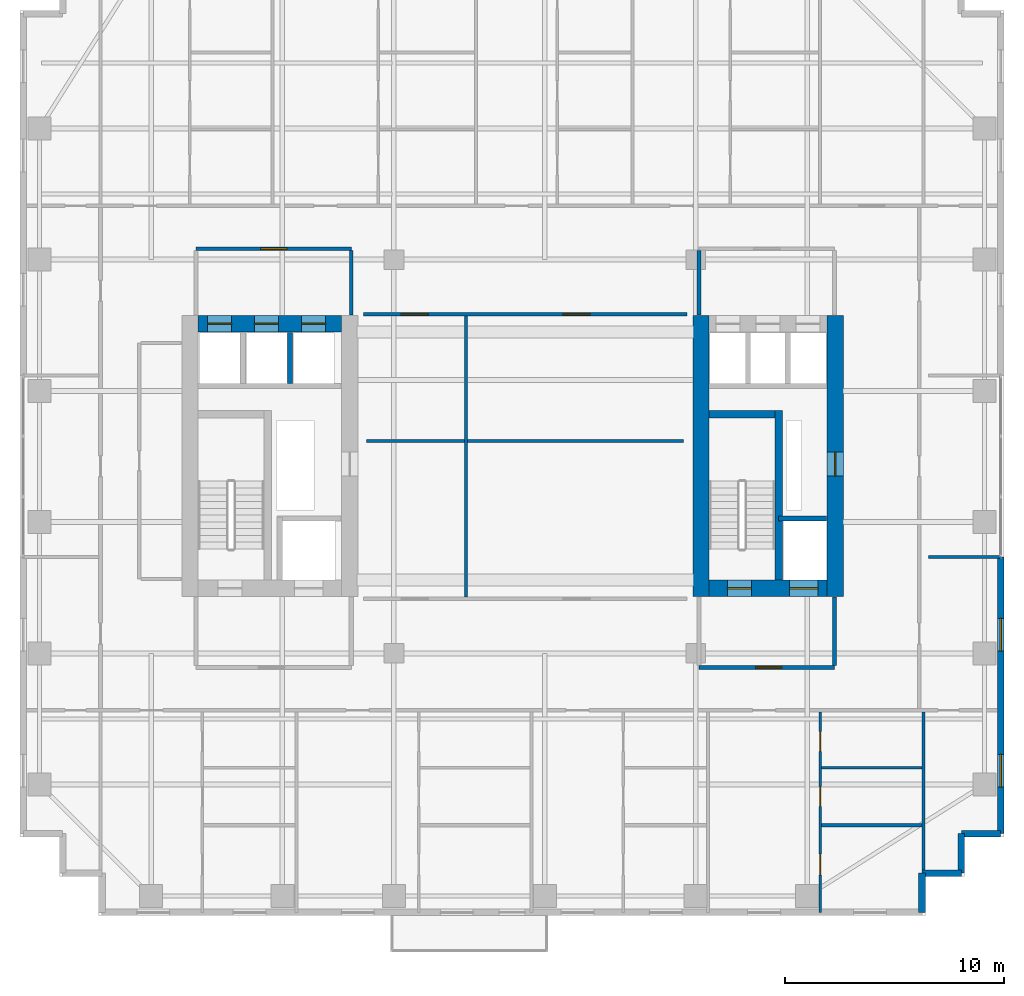
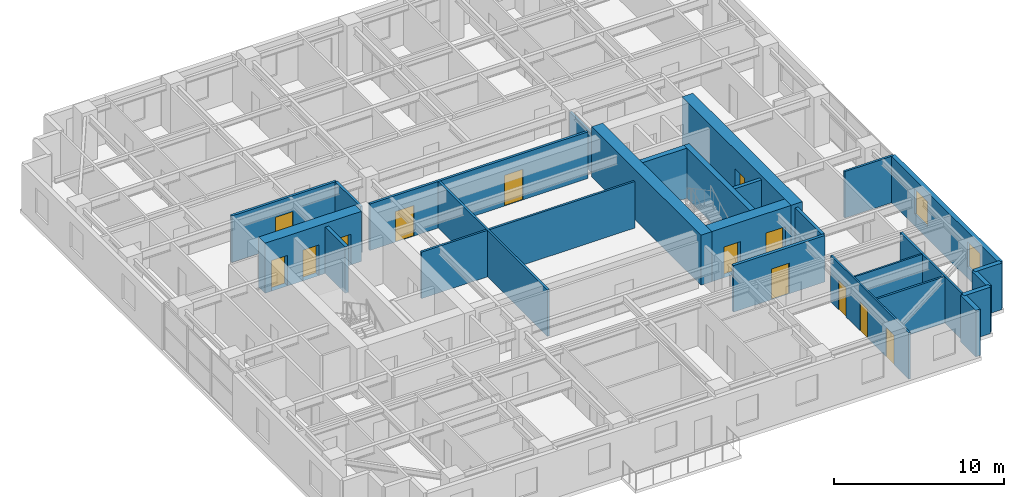
# One storey, part 10 of 15: 26 walls, 13 doors, 2 windows, 15 openings.
"""IFC4 building model written with IfcOpenShell, lengths in metres."""

from ifc_helpers import new_model, si_unit, direction, frame, frame_2d, origin, place, context, subcontext, project, spatial, rectangle, extrude, source, transform, mapped, material, layer, layer_set, type_object, element, fill, save


model = new_model("IFC4")

# Units and contexts
model_context = context("Model", 3, precision=1e-05, world=origin(), true_north=direction((0.0, 1.0)))
body_context = subcontext(model_context, "Body", "Model", "MODEL_VIEW")
ifc_project = project(units=[si_unit("LENGTHUNIT", "METRE"), si_unit("AREAUNIT", "SQUARE_METRE"), si_unit("VOLUMEUNIT", "CUBIC_METRE"), si_unit("PLANEANGLEUNIT", "RADIAN"), si_unit("MASSUNIT", "GRAM", prefix="KILO")], contexts=[model_context])

# Site, building, storey
site_placement = place(None, origin())
site = spatial("IfcSite", under=ifc_project, at=site_placement, CompositionType="ELEMENT")
building_placement = place(site_placement, origin())
building = spatial("IfcBuilding", under=site, at=building_placement, Name="Khoralis Quay Care Tower", CompositionType="ELEMENT")
storey_placement = place(building_placement, frame((0.0, 0.0, 123.300048828125)))
storey = spatial("IfcBuildingStorey", under=building, at=storey_placement, Name="L32", CompositionType="ELEMENT", Elevation=123.300048828125)

# Wall, opening, door
ifc_material_1 = material(Name="Gypsum plasterboard on acoustic metal stud")
ifc_layer_1 = layer(ifc_material_1, 0.199951171875)
ifc_layer_set_1 = layer_set([ifc_layer_1], Name="Gypsum plasterboard on acoustic metal stud")
wall_type_1 = type_object("IfcWallType", Name="WL-COMP-200", PredefinedType="PARTITIONING", material=ifc_layer_set_1)
wall_1_placement = place(storey_placement, frame((31.050048828125, 11.35009765625, 0.0), z_axis=(0.0, 0.0, 1.0), x_axis=(1.0, 0.0, 0.0)))
wall_1 = element("IfcWall", 1, at=wall_1_placement, inside=storey, type_object=wall_type_1, Name="L32 East Firefighting Lobby South Wall", PredefinedType="PARTITIONING", context=body_context, shape_type="SweptSolid", body=[
    extrude(rectangle(XDim=6.199951171875, YDim=0.199951171875, at=frame_2d((3.10009765625, 0.0))), origin(), (0.0, 0.0, 1.0), 3.33984375),
])
opening_1_placement = place(wall_1_placement, frame((2.585693359375, 0.0, 0.0)))
opening_1 = element("IfcOpeningElement", 2, at=opening_1_placement, cuts=wall_1, Name="Opening FD1", PredefinedType="OPENING", context=body_context, shape_type="SweptSolid", body=[
    extrude(rectangle(XDim=1.199951171875, YDim=2.199951171875, at=frame_2d((0.60009765625, 1.10009765625))), frame((0.0, 0.10986328125, 0.0), z_axis=(0.0, -1.0, 0.0), x_axis=(1.0, 0.0, 0.0)), (0.0, 0.0, 1.0), 0.219970703125),
])
ifc_material_2 = material(Name="Fire-rated painted steel", Category="steel")
door_type_1 = type_object("IfcDoorType", Name="DR-FFL-1200X2200", OperationType="NOTDEFINED", PredefinedType="DOOR", material=ifc_material_2)
shared_shape_1 = source(origin(), body_context, "Body", "SweptSolid", [
    extrude(rectangle(XDim=1.199951171875, YDim=2.199951171875, at=frame_2d((0.60009765625, 1.10009765625))), frame((0.0, 0.02490234375, 0.0), z_axis=(0.0, -1.0, 0.0), x_axis=(1.0, 0.0, 0.0)), (0.0, 0.0, 1.0), 0.050048828125),
])
door_1_placement = place(opening_1_placement, origin())
door_1 = element("IfcDoor", 3, at=door_1_placement, inside=storey, type_object=door_type_1, Name="L32 East Firefighting Lobby Fire Door", OperationType="SINGLE_SWING_LEFT", OverallHeight=2.199951171875, OverallWidth=1.199951171875, PredefinedType="DOOR", context=body_context, shape_type="MappedRepresentation", body=[
    mapped(shared_shape_1, transform((0.0, 0.0, 0.0), scale=1.0)),
])
fill(opening_1, door_1)

# Wall
wall_2_placement = place(storey_placement, frame((37.25, 11.445068359375, 0.0), z_axis=(0.0, 0.0, 1.0), x_axis=(0.0, 1.0, 0.0)))
element("IfcWall", 4, at=wall_2_placement, inside=storey, type_object=wall_type_1, Name="L32 East Firefighting Lobby East Wall", PredefinedType="PARTITIONING", context=body_context, shape_type="SweptSolid", body=[
    extrude(rectangle(XDim=3.135009765625, YDim=0.199951171875, at=frame_2d((1.5673828125, 0.0))), origin(), (0.0, 0.0, 1.0), 3.33984375),
])

# Wall, openings, doors
ifc_material_3 = material(Name="Concrete C80/95", Category="concrete")
ifc_layer_2 = layer(ifc_material_3, 0.75)
ifc_layer_set_2 = layer_set([ifc_layer_2], Name="Concrete C80/95")
wall_type_2 = type_object("IfcWallType", Name="WL-CORE-750", PredefinedType="SHEAR", material=ifc_layer_set_2)
wall_3_placement = place(storey_placement, frame((8.14990234375, 27.074951171875, 0.0), z_axis=(0.0, 0.0, 1.0), x_axis=(1.0, 0.0, 0.0)))
wall_3 = element("IfcWall", 5, at=wall_3_placement, inside=storey, type_object=wall_type_2, Name="L32 WCORE North Shear Wall", PredefinedType="SHEAR", context=body_context, shape_type="SweptSolid", body=[
    extrude(rectangle(XDim=6.550048828125, YDim=0.75, at=frame_2d((3.27490234375, 0.0))), origin(), (0.0, 0.0, 1.0), 3.599853515625),
])
opening_2_placement = place(wall_3_placement, frame((0.429931640625, 0.0, 0.0)))
opening_2 = element("IfcOpeningElement", 6, at=opening_2_placement, cuts=wall_3, Name="Opening LD1", PredefinedType="OPENING", context=body_context, shape_type="SweptSolid", body=[
    extrude(rectangle(XDim=1.10009765625, YDim=2.199951171875, at=frame_2d((0.550048828125, 1.10009765625))), frame((0.0, 0.385009765625, 0.0), z_axis=(0.0, -1.0, 0.0), x_axis=(1.0, 0.0, 0.0)), (0.0, 0.0, 1.0), 0.77001953125),
])
opening_3_placement = place(wall_3_placement, frame((2.570068359375, 0.0, 0.0)))
opening_3 = element("IfcOpeningElement", 7, at=opening_3_placement, cuts=wall_3, Name="Opening LD1", PredefinedType="OPENING", context=body_context, shape_type="SweptSolid", body=[
    extrude(rectangle(XDim=1.10009765625, YDim=2.199951171875, at=frame_2d((0.550048828125, 1.10009765625))), frame((0.0, 0.385009765625, 0.0), z_axis=(0.0, -1.0, 0.0), x_axis=(1.0, 0.0, 0.0)), (0.0, 0.0, 1.0), 0.77001953125),
])
opening_4_placement = place(wall_3_placement, frame((4.72998046875, 0.0, 0.0)))
opening_4 = element("IfcOpeningElement", 8, at=opening_4_placement, cuts=wall_3, Name="Opening LD1", PredefinedType="OPENING", context=body_context, shape_type="SweptSolid", body=[
    extrude(rectangle(XDim=1.10009765625, YDim=2.199951171875, at=frame_2d((0.550048828125, 1.10009765625))), frame((0.0, 0.385009765625, 0.0), z_axis=(0.0, -1.0, 0.0), x_axis=(1.0, 0.0, 0.0)), (0.0, 0.0, 1.0), 0.77001953125),
])
ifc_material_4 = material(Name="Brushed stainless steel", Category="steel")
door_type_2 = type_object("IfcDoorType", Name="DR-LIFT-1100X2200", OperationType="SLIDING_TO_LEFT", PredefinedType="DOOR", material=ifc_material_4)
shared_shape_2 = source(origin(), body_context, "Body", "SweptSolid", [
    extrude(rectangle(XDim=1.10009765625, YDim=2.199951171875, at=frame_2d((0.550048828125, 1.10009765625))), frame((0.0, 0.02490234375, 0.0), z_axis=(0.0, -1.0, 0.0), x_axis=(1.0, 0.0, 0.0)), (0.0, 0.0, 1.0), 0.050048828125),
])
door_2_placement = place(opening_2_placement, origin())
door_2 = element("IfcDoor", 9, at=door_2_placement, inside=storey, type_object=door_type_2, Name="L32 Lift PLL1 Landing Door", OperationType="SLIDING_TO_LEFT", OverallHeight=2.199951171875, OverallWidth=1.10009765625, PredefinedType="DOOR", context=body_context, shape_type="MappedRepresentation", body=[
    mapped(shared_shape_2, transform((0.0, 0.0, 0.0), scale=1.0)),
])
fill(opening_2, door_2)
door_3_placement = place(opening_3_placement, origin())
door_3 = element("IfcDoor", 10, at=door_3_placement, inside=storey, type_object=door_type_2, Name="L32 Lift PLM1 Landing Door", OperationType="SLIDING_TO_LEFT", OverallHeight=2.199951171875, OverallWidth=1.10009765625, PredefinedType="DOOR", context=body_context, shape_type="MappedRepresentation", body=[
    mapped(shared_shape_2, transform((0.0, 0.0, 0.0), scale=1.0)),
])
fill(opening_3, door_3)
door_4_placement = place(opening_4_placement, origin())
door_4 = element("IfcDoor", 11, at=door_4_placement, inside=storey, type_object=door_type_2, Name="L32 Lift PLH1 Landing Door", OperationType="SLIDING_TO_LEFT", OverallHeight=2.199951171875, OverallWidth=1.10009765625, PredefinedType="DOOR", context=body_context, shape_type="MappedRepresentation", body=[
    mapped(shared_shape_2, transform((0.0, 0.0, 0.0), scale=1.0)),
])
fill(opening_4, door_4)

# Wall
wall_4_placement = place(storey_placement, frame((31.14501953125, 14.60009765625, 0.0), z_axis=(0.0, 0.0, 1.0), x_axis=(0.0, 1.0, 0.0)))
element("IfcWall", 12, at=wall_4_placement, inside=storey, type_object=wall_type_2, Name="L32 ECORE West Shear Wall", PredefinedType="SHEAR", context=body_context, shape_type="SweptSolid", body=[
    extrude(rectangle(XDim=12.849853515625, YDim=0.75, at=frame_2d((6.4248046875, 0.0))), origin(), (0.0, 0.0, 1.0), 3.599853515625),
])

# Wall, opening, door
wall_5_placement = place(storey_placement, frame((37.27490234375, 14.60009765625, 0.0), z_axis=(0.0, 0.0, 1.0), x_axis=(0.0, 1.0, 0.0)))
wall_5 = element("IfcWall", 13, at=wall_5_placement, inside=storey, type_object=wall_type_2, Name="L32 ECORE East Shear Wall", PredefinedType="SHEAR", context=body_context, shape_type="SweptSolid", body=[
    extrude(rectangle(XDim=12.849853515625, YDim=0.75, at=frame_2d((6.4248046875, 0.0))), origin(), (0.0, 0.0, 1.0), 3.599853515625),
])
opening_5_placement = place(wall_5_placement, frame((5.5, 0.0, 0.0)))
opening_5 = element("IfcOpeningElement", 14, at=opening_5_placement, cuts=wall_5, Name="Opening SD1", PredefinedType="OPENING", context=body_context, shape_type="SweptSolid", body=[
    extrude(rectangle(XDim=1.10009765625, YDim=2.199951171875, at=frame_2d((0.550048828125, 1.10009765625))), frame((0.0, 0.385009765625, 0.0), z_axis=(0.0, -1.0, 0.0), x_axis=(1.0, 0.0, 0.0)), (0.0, 0.0, 1.0), 0.77001953125),
])
door_type_3 = type_object("IfcDoorType", Name="DR-STAIR-1100X2200", OperationType="NOTDEFINED", PredefinedType="DOOR", material=ifc_material_2)
shared_shape_3 = source(origin(), body_context, "Body", "SweptSolid", [
    extrude(rectangle(XDim=1.10009765625, YDim=2.199951171875, at=frame_2d((0.550048828125, 1.10009765625))), frame((0.0, 0.02490234375, 0.0), z_axis=(0.0, -1.0, 0.0), x_axis=(1.0, 0.0, 0.0)), (0.0, 0.0, 1.0), 0.050048828125),
])
door_5_placement = place(opening_5_placement, frame((1.10009765625, 0.0, 0.0), z_axis=(0.0, 0.0, 1.0), x_axis=(-1.0, 0.0, 0.0)))
door_5 = element("IfcDoor", 15, at=door_5_placement, inside=storey, type_object=door_type_3, Name="L32 East MEP Riser Door", OperationType="SINGLE_SWING_LEFT", OverallHeight=2.199951171875, OverallWidth=1.10009765625, PredefinedType="DOOR", context=body_context, shape_type="MappedRepresentation", body=[
    mapped(shared_shape_3, transform((0.0, 0.0, 0.0), scale=1.0)),
])
fill(opening_5, door_5)

# Wall, openings, doors
wall_6_placement = place(storey_placement, frame((31.52001953125, 14.97509765625, 0.0), z_axis=(0.0, 0.0, 1.0), x_axis=(1.0, 0.0, 0.0)))
wall_6 = element("IfcWall", 16, at=wall_6_placement, inside=storey, type_object=wall_type_2, Name="L32 ECORE South Shear Wall", PredefinedType="SHEAR", context=body_context, shape_type="SweptSolid", body=[
    extrude(rectangle(XDim=5.3798828125, YDim=0.75, at=frame_2d((2.68994140625, 0.0))), origin(), (0.0, 0.0, 1.0), 3.599853515625),
])
opening_6_placement = place(wall_6_placement, frame((0.830078125, 0.0, 0.0)))
opening_6 = element("IfcOpeningElement", 17, at=opening_6_placement, cuts=wall_6, Name="Opening SD1", PredefinedType="OPENING", context=body_context, shape_type="SweptSolid", body=[
    extrude(rectangle(XDim=1.10009765625, YDim=2.199951171875, at=frame_2d((0.550048828125, 1.10009765625))), frame((0.0, 0.385009765625, 0.0), z_axis=(0.0, -1.0, 0.0), x_axis=(1.0, 0.0, 0.0)), (0.0, 0.0, 1.0), 0.77001953125),
])
opening_7_placement = place(wall_6_placement, frame((3.679931640625, 0.0, 0.0)))
opening_7 = element("IfcOpeningElement", 18, at=opening_7_placement, cuts=wall_6, Name="Opening LD2", PredefinedType="OPENING", context=body_context, shape_type="SweptSolid", body=[
    extrude(rectangle(XDim=1.300048828125, YDim=2.199951171875, at=frame_2d((0.64990234375, 1.10009765625))), frame((0.0, 0.385009765625, 0.0), z_axis=(0.0, -1.0, 0.0), x_axis=(1.0, 0.0, 0.0)), (0.0, 0.0, 1.0), 0.77001953125),
])
door_6_placement = place(opening_6_placement, origin())
door_6 = element("IfcDoor", 19, at=door_6_placement, inside=storey, type_object=door_type_3, Name="L32 Stair ST-T2 Fire Door", OperationType="SINGLE_SWING_LEFT", OverallHeight=2.199951171875, OverallWidth=1.10009765625, PredefinedType="DOOR", context=body_context, shape_type="MappedRepresentation", body=[
    mapped(shared_shape_3, transform((0.0, 0.0, 0.0), scale=1.0)),
])
fill(opening_6, door_6)
door_type_4 = type_object("IfcDoorType", Name="DR-LIFT-1300X2200", OperationType="SLIDING_TO_RIGHT", PredefinedType="DOOR", material=ifc_material_4)
shared_shape_4 = source(origin(), body_context, "Body", "SweptSolid", [
    extrude(rectangle(XDim=1.300048828125, YDim=2.199951171875, at=frame_2d((0.64990234375, 1.10009765625))), frame((0.0, 0.02490234375, 0.0), z_axis=(0.0, -1.0, 0.0), x_axis=(1.0, 0.0, 0.0)), (0.0, 0.0, 1.0), 0.050048828125),
])
door_7_placement = place(opening_7_placement, origin())
door_7 = element("IfcDoor", 20, at=door_7_placement, inside=storey, type_object=door_type_4, Name="L32 Firefighting Lift FFL-2 Landing Door", OperationType="SLIDING_TO_RIGHT", OverallHeight=2.199951171875, OverallWidth=1.300048828125, PredefinedType="DOOR", context=body_context, shape_type="MappedRepresentation", body=[
    mapped(shared_shape_4, transform((0.0, 0.0, 0.0), scale=1.0)),
])
fill(opening_7, door_7)

# Wall, opening, door
ifc_layer_3 = layer(ifc_material_1, 0.1650390625)
ifc_layer_set_3 = layer_set([ifc_layer_3], Name="Gypsum plasterboard on acoustic metal stud")
wall_type_3 = type_object("IfcWallType", Name="WL-CORR-165", PredefinedType="PARTITIONING", material=ifc_layer_set_3)
wall_7_placement = place(storey_placement, frame((8.050048828125, 30.5, 0.0), z_axis=(0.0, 0.0, 1.0), x_axis=(1.0, 0.0, 0.0)))
wall_7 = element("IfcWall", 21, at=wall_7_placement, inside=storey, type_object=wall_type_3, Name="L32 West Lift Lobby North Wall", PredefinedType="PARTITIONING", context=body_context, shape_type="SweptSolid", body=[
    extrude(rectangle(XDim=7.099853515625, YDim=0.1650390625, at=frame_2d((3.5498046875, 0.0))), origin(), (0.0, 0.0, 1.0), 3.33984375),
])
opening_8_placement = place(wall_7_placement, frame((2.949951171875, 0.0, 0.0)))
opening_8 = element("IfcOpeningElement", 22, at=opening_8_placement, cuts=wall_7, Name="Opening FD1", PredefinedType="OPENING", context=body_context, shape_type="SweptSolid", body=[
    extrude(rectangle(XDim=1.199951171875, YDim=2.199951171875, at=frame_2d((0.60009765625, 1.10009765625))), frame((0.0, 0.092529296875, 0.0), z_axis=(0.0, -1.0, 0.0), x_axis=(1.0, 0.0, 0.0)), (0.0, 0.0, 1.0), 0.18505859375),
])
door_8_placement = place(opening_8_placement, origin())
door_8 = element("IfcDoor", 23, at=door_8_placement, inside=storey, type_object=door_type_1, Name="L32 West Lift Lobby Double Door", OperationType="DOUBLE_DOOR_SINGLE_SWING", OverallHeight=2.199951171875, OverallWidth=1.199951171875, PredefinedType="DOOR", context=body_context, shape_type="MappedRepresentation", body=[
    mapped(shared_shape_1, transform((0.0, 0.0, 0.0), scale=1.0)),
])
fill(opening_8, door_8)

# Walls
wall_8_placement = place(storey_placement, frame((15.14990234375, 27.469970703125, 0.0), z_axis=(0.0, 0.0, 1.0), x_axis=(0.0, 1.0, 0.0)))
element("IfcWall", 24, at=wall_8_placement, inside=storey, type_object=wall_type_3, Name="L32 West Lift Lobby East Wall", PredefinedType="PARTITIONING", context=body_context, shape_type="SweptSolid", body=[
    extrude(rectangle(XDim=2.95263671875, YDim=0.1650390625, at=frame_2d((1.476318359375, 0.0))), origin(), (0.0, 0.0, 1.0), 3.33984375),
])
wall_9_placement = place(storey_placement, frame((31.050048828125, 27.469970703125, 0.0), z_axis=(0.0, 0.0, 1.0), x_axis=(0.0, 1.0, 0.0)))
element("IfcWall", 25, at=wall_9_placement, inside=storey, type_object=wall_type_3, Name="L32 East Lift Lobby West Wall", PredefinedType="PARTITIONING", context=body_context, shape_type="SweptSolid", body=[
    extrude(rectangle(XDim=2.95263671875, YDim=0.1650390625, at=frame_2d((1.476318359375, 0.0))), origin(), (0.0, 0.0, 1.0), 2.7958984375),
])

# Wall, openings, doors
wall_10_placement = place(storey_placement, frame((15.699951171875, 27.5, 0.0), z_axis=(0.0, 0.0, 1.0), x_axis=(1.0, 0.0, 0.0)))
wall_10 = element("IfcWall", 26, at=wall_10_placement, inside=storey, type_object=wall_type_3, Name="L32 Central Clinical North Wall", PredefinedType="PARTITIONING", context=body_context, shape_type="SweptSolid", body=[
    extrude(rectangle(XDim=14.800048828125, YDim=0.1650390625, at=frame_2d((7.39990234375, 0.0))), origin(), (0.0, 0.0, 1.0), 3.33984375),
])
opening_9_placement = place(wall_10_placement, frame((1.72509765625, 0.0, 0.0)))
opening_9 = element("IfcOpeningElement", 27, at=opening_9_placement, cuts=wall_10, Name="Opening CD1", PredefinedType="OPENING", context=body_context, shape_type="SweptSolid", body=[
    extrude(rectangle(XDim=1.25, YDim=2.199951171875, at=frame_2d((0.625, 1.10009765625))), frame((0.0, 0.092529296875, 0.0), z_axis=(0.0, -1.0, 0.0), x_axis=(1.0, 0.0, 0.0)), (0.0, 0.0, 1.0), 0.18505859375),
])
opening_10_placement = place(wall_10_placement, frame((9.125, 0.0, 0.0)))
opening_10 = element("IfcOpeningElement", 28, at=opening_10_placement, cuts=wall_10, Name="Opening CD1", PredefinedType="OPENING", context=body_context, shape_type="SweptSolid", body=[
    extrude(rectangle(XDim=1.25, YDim=2.199951171875, at=frame_2d((0.625, 1.10009765625))), frame((0.0, 0.092529296875, 0.0), z_axis=(0.0, -1.0, 0.0), x_axis=(1.0, 0.0, 0.0)), (0.0, 0.0, 1.0), 0.18505859375),
])
ifc_material_5 = material(Name="Acoustic hardwood timber", Category="wood")
door_type_5 = type_object("IfcDoorType", Name="DR-CARE-1250X2200", OperationType="NOTDEFINED", PredefinedType="DOOR", material=ifc_material_5)
shared_shape_5 = source(origin(), body_context, "Body", "SweptSolid", [
    extrude(rectangle(XDim=1.25, YDim=2.199951171875, at=frame_2d((0.625, 1.10009765625))), frame((0.0, 0.02490234375, 0.0), z_axis=(0.0, -1.0, 0.0), x_axis=(1.0, 0.0, 0.0)), (0.0, 0.0, 1.0), 0.050048828125),
])
door_9_placement = place(opening_9_placement, frame((1.25, 0.0, 0.0), z_axis=(0.0, 0.0, 1.0), x_axis=(-1.0, 0.0, 0.0)))
door_9 = element("IfcDoor", 29, at=door_9_placement, inside=storey, type_object=door_type_5, Name="L32 Library Lounge Door", OperationType="SINGLE_SWING_LEFT", OverallHeight=2.199951171875, OverallWidth=1.25, PredefinedType="DOOR", context=body_context, shape_type="MappedRepresentation", body=[
    mapped(shared_shape_5, transform((0.0, 0.0, 0.0), scale=1.0)),
])
fill(opening_9, door_9)
door_10_placement = place(opening_10_placement, frame((1.25, 0.0, 0.0), z_axis=(0.0, 0.0, 1.0), x_axis=(-1.0, 0.0, 0.0)))
door_10 = element("IfcDoor", 30, at=door_10_placement, inside=storey, type_object=door_type_5, Name="L32 Occupational Therapy Door", OperationType="SINGLE_SWING_RIGHT", OverallHeight=2.199951171875, OverallWidth=1.25, PredefinedType="DOOR", context=body_context, shape_type="MappedRepresentation", body=[
    mapped(shared_shape_5, transform((0.0, 0.0, 0.0), scale=1.0)),
])
fill(opening_10, door_10)

# Walls
ifc_material_6 = material(Name="Precast concrete C45/55", Category="concrete")
ifc_layer_4 = layer(ifc_material_6, 0.300048828125)
ifc_layer_set_4 = layer_set([ifc_layer_4], Name="Precast concrete C45/55")
wall_type_4 = type_object("IfcWallType", Name="WL-EXT-REF-300", PredefinedType="SOLIDWALL", material=ifc_layer_set_4)
for number, where, z_axis, x_axis, name in (
    (31, (41.25, 0.14990234375, 0.0), (0.0, 0.0, 1.0), (0.0, 1.0, 0.0), "L32 External Facade Wall WL-EXT-L32-P1-C1"),
    (32, (41.25, 1.949951171875, 0.0), (0.0, 0.0, 1.0), (1.0, 0.0, 0.0), "L32 External Facade Wall WL-EXT-L32-P1-C2"),
    (33, (43.050048828125, 1.949951171875, 0.0), (0.0, 0.0, 1.0), (0.0, 1.0, 0.0), "L32 External Facade Wall WL-EXT-L32-P1-C3"),
    (34, (43.050048828125, 3.75, 0.0), (0.0, 0.0, 1.0), (1.0, 0.0, 0.0), "L32 External Facade Wall WL-EXT-L32-P1-C4"),
):
    element("IfcWall", number, at=place(storey_placement, frame(where, z_axis=z_axis, x_axis=x_axis)), inside=storey, type_object=wall_type_4, Name=name, PredefinedType="SOLIDWALL", context=body_context, shape_type="SweptSolid", body=[
        extrude(rectangle(XDim=1.800048828125, YDim=0.300048828125, at=frame_2d((0.89990234375, 0.0))), origin(), (0.0, 0.0, 1.0), 3.33984375),
    ])

# Wall, openings, windows
wall_11_placement = place(storey_placement, frame((44.85009765625, 3.75, 0.0), z_axis=(0.0, 0.0, 1.0), x_axis=(0.0, 1.0, 0.0)))
wall_11 = element("IfcWall", 35, at=wall_11_placement, inside=storey, type_object=wall_type_4, Name="L32 External Facade Wall WL-EXT-L32-P1-E5A", PredefinedType="SOLIDWALL", context=body_context, shape_type="SweptSolid", body=[
    extrude(rectangle(XDim=12.64990234375, YDim=0.300048828125, at=frame_2d((6.324951171875, 0.0))), origin(), (0.0, 0.0, 1.0), 3.33984375),
])
opening_11_placement = place(wall_11_placement, frame((2.125, 0.0, 0.85009765625)))
opening_11 = element("IfcOpeningElement", 36, at=opening_11_placement, cuts=wall_11, Name="Opening W3", PredefinedType="OPENING", context=body_context, shape_type="SweptSolid", body=[
    extrude(rectangle(XDim=1.5, YDim=1.800048828125, at=frame_2d((0.75, 0.89990234375))), frame((0.0, 0.16015625, 0.0), z_axis=(0.0, -1.0, 0.0), x_axis=(1.0, 0.0, 0.0)), (0.0, 0.0, 1.0), 0.320068359375),
])
opening_12_placement = place(wall_11_placement, frame((8.35009765625, 0.0, 0.85009765625)))
opening_12 = element("IfcOpeningElement", 37, at=opening_12_placement, cuts=wall_11, Name="Opening W3", PredefinedType="OPENING", context=body_context, shape_type="SweptSolid", body=[
    extrude(rectangle(XDim=1.5, YDim=1.800048828125, at=frame_2d((0.75, 0.89990234375))), frame((0.0, 0.16015625, 0.0), z_axis=(0.0, -1.0, 0.0), x_axis=(1.0, 0.0, 0.0)), (0.0, 0.0, 1.0), 0.320068359375),
])
ifc_material_7 = material(Name="Low-E solar-control double glazing", Category="glass")
window_type = type_object("IfcWindowType", Name="WN-CLIN-1500X1800", PartitioningType="SINGLE_PANEL", PredefinedType="WINDOW", material=ifc_material_7)
shared_shape_6 = source(origin(), body_context, "Body", "SweptSolid", [
    extrude(rectangle(XDim=1.5, YDim=1.800048828125, at=frame_2d((0.75, 0.89990234375))), frame((0.0, 0.030029296875, 0.0), z_axis=(0.0, -1.0, 0.0), x_axis=(1.0, 0.0, 0.0)), (0.0, 0.0, 1.0), 0.06005859375),
])
window_1_placement = place(opening_11_placement, origin())
window_1 = element("IfcWindow", 38, at=window_1_placement, inside=storey, type_object=window_type, Name="WN-L32-P1-E5A Facade Window 01", OverallHeight=1.800048828125, OverallWidth=1.5, PartitioningType="SINGLE_PANEL", PredefinedType="WINDOW", context=body_context, shape_type="MappedRepresentation", body=[
    mapped(shared_shape_6, transform((0.0, 0.0, 0.0), scale=1.0)),
])
fill(opening_11, window_1)
window_2_placement = place(opening_12_placement, origin())
window_2 = element("IfcWindow", 39, at=window_2_placement, inside=storey, type_object=window_type, Name="WN-L32-P1-E5A Facade Window 02", OverallHeight=1.800048828125, OverallWidth=1.5, PartitioningType="SINGLE_PANEL", PredefinedType="WINDOW", context=body_context, shape_type="MappedRepresentation", body=[
    mapped(shared_shape_6, transform((0.0, 0.0, 0.0), scale=1.0)),
])
fill(opening_12, window_2)

# Wall, openings, doors
ifc_layer_5 = layer(ifc_material_1, 0.114990234375)
ifc_layer_set_5 = layer_set([ifc_layer_5], Name="Gypsum plasterboard on acoustic metal stud")
wall_type_5 = type_object("IfcWallType", Name="WL-PART-115", PredefinedType="PARTITIONING", material=ifc_layer_set_5)
wall_12_placement = place(storey_placement, frame((36.592041015625, 0.14501953125, 0.0), z_axis=(0.0, 0.0, 1.0), x_axis=(0.0, 1.0, 0.0)))
wall_12 = element("IfcWall", 40, at=wall_12_placement, inside=storey, type_object=wall_type_5, Name="L32 Unit 3 Internal Wall", PredefinedType="PARTITIONING", context=body_context, shape_type="SweptSolid", body=[
    extrude(rectangle(XDim=9.177490234375, YDim=0.114990234375, at=frame_2d((4.5888671875, 0.0))), origin(), (0.0, 0.0, 1.0), 3.33984375),
])
opening_13_placement = place(wall_12_placement, frame((1.722900390625, 0.0, 0.0)))
opening_13 = element("IfcOpeningElement", 41, at=opening_13_placement, cuts=wall_12, Name="Opening ID1", PredefinedType="OPENING", context=body_context, shape_type="SweptSolid", body=[
    extrude(rectangle(XDim=0.949951171875, YDim=2.10009765625, at=frame_2d((0.47509765625, 1.050048828125))), frame((0.0, 0.0673828125, 0.0), z_axis=(0.0, -1.0, 0.0), x_axis=(1.0, 0.0, 0.0)), (0.0, 0.0, 1.0), 0.135009765625),
])
opening_14_placement = place(wall_12_placement, frame((4.85693359375, 0.0, 0.0)))
opening_14 = element("IfcOpeningElement", 42, at=opening_14_placement, cuts=wall_12, Name="Opening WD1", PredefinedType="OPENING", context=body_context, shape_type="SweptSolid", body=[
    extrude(rectangle(XDim=0.89990234375, YDim=2.10009765625, at=frame_2d((0.449951171875, 1.050048828125))), frame((0.0, 0.0673828125, 0.0), z_axis=(0.0, -1.0, 0.0), x_axis=(1.0, 0.0, 0.0)), (0.0, 0.0, 1.0), 0.135009765625),
])
opening_15_placement = place(wall_12_placement, frame((7.3740234375, 0.0, 0.0)))
opening_15 = element("IfcOpeningElement", 43, at=opening_15_placement, cuts=wall_12, Name="Opening WD1", PredefinedType="OPENING", context=body_context, shape_type="SweptSolid", body=[
    extrude(rectangle(XDim=0.89990234375, YDim=2.10009765625, at=frame_2d((0.449951171875, 1.050048828125))), frame((0.0, 0.0673828125, 0.0), z_axis=(0.0, -1.0, 0.0), x_axis=(1.0, 0.0, 0.0)), (0.0, 0.0, 1.0), 0.135009765625),
])
door_type_6 = type_object("IfcDoorType", Name="DR-BATH-900X2100", OperationType="NOTDEFINED", PredefinedType="DOOR", material=ifc_material_5)
shared_shape_7 = source(origin(), body_context, "Body", "SweptSolid", [
    extrude(rectangle(XDim=0.89990234375, YDim=2.10009765625, at=frame_2d((0.449951171875, 1.050048828125))), frame((0.0, 0.02490234375, 0.0), z_axis=(0.0, -1.0, 0.0), x_axis=(1.0, 0.0, 0.0)), (0.0, 0.0, 1.0), 0.050048828125),
])
door_11_placement = place(opening_14_placement, frame((0.89990234375, 0.0, 0.0), z_axis=(0.0, 0.0, 1.0), x_axis=(-1.0, 0.0, 0.0)))
door_11 = element("IfcDoor", 44, at=door_11_placement, inside=storey, type_object=door_type_6, Name="L32 Apartment SB3 KIT Door", OperationType="SINGLE_SWING_LEFT", OverallHeight=2.10009765625, OverallWidth=0.89990234375, PredefinedType="DOOR", context=body_context, shape_type="MappedRepresentation", body=[
    mapped(shared_shape_7, transform((0.0, 0.0, 0.0), scale=1.0)),
])
fill(opening_14, door_11)
door_12_placement = place(opening_15_placement, frame((0.89990234375, 0.0, 0.0), z_axis=(0.0, 0.0, 1.0), x_axis=(-1.0, 0.0, 0.0)))
door_12 = element("IfcDoor", 45, at=door_12_placement, inside=storey, type_object=door_type_6, Name="L32 Apartment SB3 BTH Door", OperationType="SINGLE_SWING_RIGHT", OverallHeight=2.10009765625, OverallWidth=0.89990234375, PredefinedType="DOOR", context=body_context, shape_type="MappedRepresentation", body=[
    mapped(shared_shape_7, transform((0.0, 0.0, 0.0), scale=1.0)),
])
fill(opening_15, door_12)
door_type_7 = type_object("IfcDoorType", Name="DR-ROOM-950X2100", OperationType="NOTDEFINED", PredefinedType="DOOR", material=ifc_material_5)
shared_shape_8 = source(origin(), body_context, "Body", "SweptSolid", [
    extrude(rectangle(XDim=0.949951171875, YDim=2.10009765625, at=frame_2d((0.47509765625, 1.050048828125))), frame((0.0, 0.02490234375, 0.0), z_axis=(0.0, -1.0, 0.0), x_axis=(1.0, 0.0, 0.0)), (0.0, 0.0, 1.0), 0.050048828125),
])
door_13_placement = place(opening_13_placement, frame((0.949951171875, 0.0, 0.0), z_axis=(0.0, 0.0, 1.0), x_axis=(-1.0, 0.0, 0.0)))
door_13 = element("IfcDoor", 46, at=door_13_placement, inside=storey, type_object=door_type_7, Name="L32 Apartment SB3 BED Door", OperationType="SINGLE_SWING_RIGHT", OverallHeight=2.10009765625, OverallWidth=0.949951171875, PredefinedType="DOOR", context=body_context, shape_type="MappedRepresentation", body=[
    mapped(shared_shape_8, transform((0.0, 0.0, 0.0), scale=1.0)),
])
fill(opening_13, door_13)

# Walls
wall_13_placement = place(storey_placement, frame((36.64453125, 6.76806640625, 0.0), z_axis=(0.0, 0.0, 1.0), x_axis=(1.0, 0.0, 0.0)))
element("IfcWall", 47, at=wall_13_placement, inside=storey, type_object=wall_type_5, Name="L32 Unit 3 Kitchen Wall", PredefinedType="PARTITIONING", context=body_context, shape_type="SweptSolid", body=[
    extrude(rectangle(XDim=4.6103515625, YDim=0.114990234375, at=frame_2d((2.30517578125, 0.0))), origin(), (0.0, 0.0, 1.0), 3.33984375),
])
ifc_material_8 = material(Name="Moisture-resistant gypsum and ceramic tile")
ifc_layer_6 = layer(ifc_material_8, 0.280029296875)
ifc_layer_set_6 = layer_set([ifc_layer_6], Name="Moisture-resistant gypsum and ceramic tile")
wall_type_6 = type_object("IfcWallType", Name="WL-PLUMB-280", PredefinedType="PLUMBINGWALL", material=ifc_layer_set_6)
wall_14_placement = place(storey_placement, frame((36.64453125, 4.135986328125, 0.0), z_axis=(0.0, 0.0, 1.0), x_axis=(1.0, 0.0, 0.0)))
element("IfcWall", 48, at=wall_14_placement, inside=storey, type_object=wall_type_6, Name="L32 Unit 3 Wet Wall", PredefinedType="PLUMBINGWALL", context=body_context, shape_type="SweptSolid", body=[
    extrude(rectangle(XDim=4.6103515625, YDim=0.139892578125, at=frame_2d((2.30517578125, 0.0))), origin(), (0.0, 0.0, 1.0), 3.33984375),
])
ifc_material_9 = material(Name="Concrete C40/50", Category="concrete")
ifc_layer_7 = layer(ifc_material_9, 0.35009765625)
ifc_layer_set_7 = layer_set([ifc_layer_7], Name="Concrete C40/50")
wall_type_7 = type_object("IfcWallType", Name="WL-SC-CORE-350", PredefinedType="SHEAR", material=ifc_layer_set_7)
wall_15_placement = place(storey_placement, frame((34.695068359375, 15.35009765625, 0.0), z_axis=(0.0, 0.0, 1.0), x_axis=(0.0, 1.0, 0.0)))
element("IfcWall", 49, at=wall_15_placement, inside=storey, type_object=wall_type_7, Name="L32 Stair ST-T2 Shear Baffle Wall East", PredefinedType="SHEAR", context=body_context, shape_type="SweptSolid", body=[
    extrude(rectangle(XDim=7.75, YDim=0.35009765625, at=frame_2d((3.875, 0.0))), origin(), (0.0, 0.0, 1.0), 3.599853515625),
])
wall_16_placement = place(storey_placement, frame((31.52001953125, 22.925048828125, 0.0), z_axis=(0.0, 0.0, 1.0), x_axis=(1.0, 0.0, 0.0)))
element("IfcWall", 50, at=wall_16_placement, inside=storey, type_object=wall_type_7, Name="L32 Stair ST-T2 Shear Baffle Wall North", PredefinedType="SHEAR", context=body_context, shape_type="SweptSolid", body=[
    extrude(rectangle(XDim=3.0, YDim=0.35009765625, at=frame_2d((1.5, 0.0))), origin(), (0.0, 0.0, 1.0), 3.599853515625),
])
ifc_layer_8 = layer(ifc_material_1, 0.239990234375)
ifc_layer_set_8 = layer_set([ifc_layer_8], Name="Gypsum plasterboard on acoustic metal stud")
wall_type_8 = type_object("IfcWallType", Name="WL-SHAFT-240", PredefinedType="PARTITIONING", material=ifc_layer_set_8)
wall_17_placement = place(storey_placement, frame((34.679931640625, 18.169921875, 0.0), z_axis=(0.0, 0.0, 1.0), x_axis=(1.0, 0.0, 0.0)))
element("IfcWall", 51, at=wall_17_placement, inside=storey, type_object=wall_type_8, Name="L32 FFL-2 Shaft Wall North", PredefinedType="PARTITIONING", context=body_context, shape_type="SweptSolid", body=[
    extrude(rectangle(XDim=2.199951171875, YDim=0.239990234375, at=frame_2d((1.10009765625, 0.0))), origin(), (0.0, 0.0, 1.0), 3.33984375),
])
wall_18_placement = place(storey_placement, frame((12.35009765625, 24.344970703125, 0.0), z_axis=(0.0, 0.0, 1.0), x_axis=(0.0, 1.0, 0.0)))
element("IfcWall", 52, at=wall_18_placement, inside=storey, type_object=wall_type_8, Name="L32 West Shaft Divider 2", PredefinedType="PARTITIONING", context=body_context, shape_type="SweptSolid", body=[
    extrude(rectangle(XDim=2.3349609375, YDim=0.239990234375, at=frame_2d((1.16748046875, 0.0))), origin(), (0.0, 0.0, 1.0), 3.33984375),
])
ifc_layer_9 = layer(ifc_material_1, 0.139892578125)
ifc_layer_set_9 = layer_set([ifc_layer_9], Name="Gypsum plasterboard on acoustic metal stud")
wall_type_9 = type_object("IfcWallType", Name="WL-UNIT-140", PredefinedType="PARTITIONING", material=ifc_layer_set_9)
wall_19_placement = place(storey_placement, frame((41.5400390625, 16.39990234375, 0.0), z_axis=(0.0, 0.0, 1.0), x_axis=(1.0, 0.0, 0.0)))
element("IfcWall", 53, at=wall_19_placement, inside=storey, type_object=wall_type_9, Name="L32 EE Divider 1", PredefinedType="PARTITIONING", context=body_context, shape_type="SweptSolid", body=[
    extrude(rectangle(XDim=3.31494140625, YDim=0.139892578125, at=frame_2d((1.657470703125, 0.0))), origin(), (0.0, 0.0, 1.0), 3.33984375),
])
wall_20_placement = place(storey_placement, frame((20.39990234375, 14.577392578125, 0.0), z_axis=(0.0, 0.0, 1.0), x_axis=(0.0, 1.0, 0.0)))
element("IfcWall", 54, at=wall_20_placement, inside=storey, type_object=wall_type_9, Name="L32 Central Split V", PredefinedType="PARTITIONING", context=body_context, shape_type="SweptSolid", body=[
    extrude(rectangle(XDim=12.84521484375, YDim=0.139892578125, at=frame_2d((6.422607421875, 0.0))), origin(), (0.0, 0.0, 1.0), 3.33984375),
])
wall_21_placement = place(storey_placement, frame((15.85009765625, 21.699951171875, 0.0), z_axis=(0.0, 0.0, 1.0), x_axis=(1.0, 0.0, 0.0)))
element("IfcWall", 55, at=wall_21_placement, inside=storey, type_object=wall_type_9, Name="L32 Central Split H", PredefinedType="PARTITIONING", context=body_context, shape_type="SweptSolid", body=[
    extrude(rectangle(XDim=14.5, YDim=0.139892578125, at=frame_2d((7.25, 0.0))), origin(), (0.0, 0.0, 1.0), 3.33984375),
])
wall_22_placement = place(storey_placement, frame((41.320068359375, 1.945068359375, 0.0), z_axis=(0.0, 0.0, 1.0), x_axis=(0.0, 1.0, 0.0)))
element("IfcWall", 56, at=wall_22_placement, inside=storey, type_object=wall_type_9, Name="L32 SB Demising Wall 4", PredefinedType="PARTITIONING", context=body_context, shape_type="SweptSolid", body=[
    extrude(rectangle(XDim=7.37744140625, YDim=0.139892578125, at=frame_2d((3.688720703125, 0.0))), origin(), (0.0, 0.0, 1.0), 3.33984375),
])

save(model, "model.ifc")
